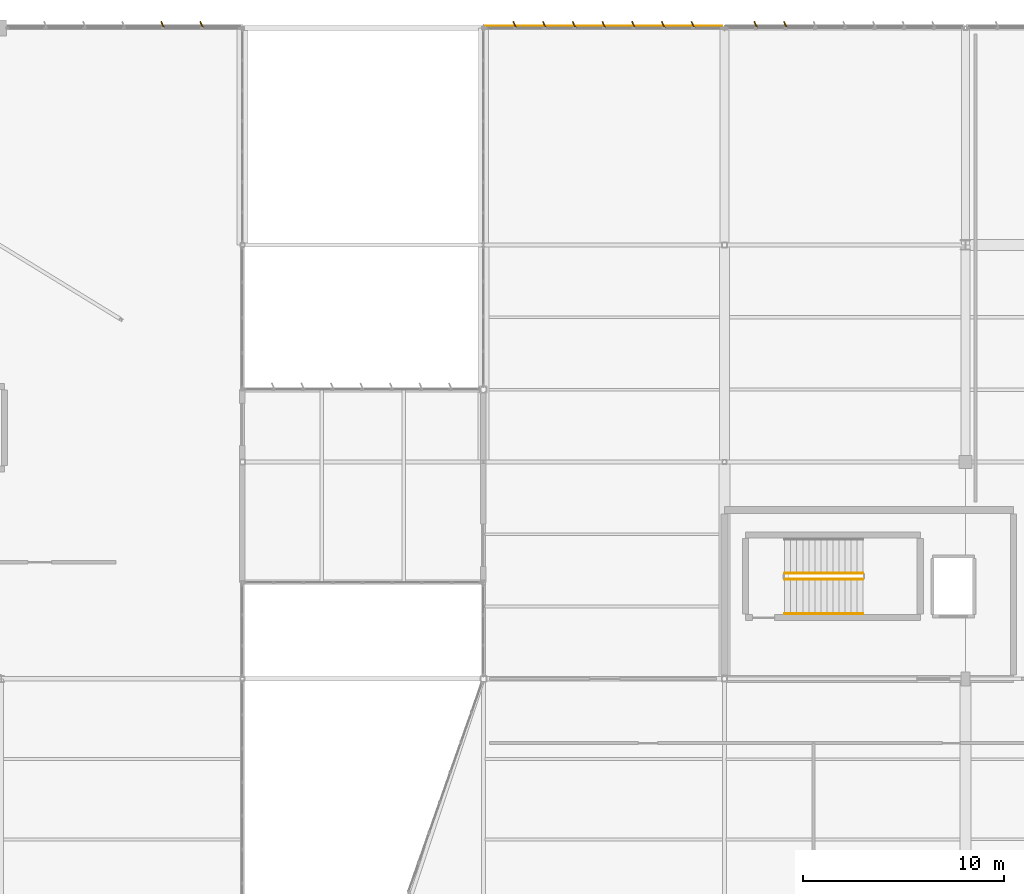
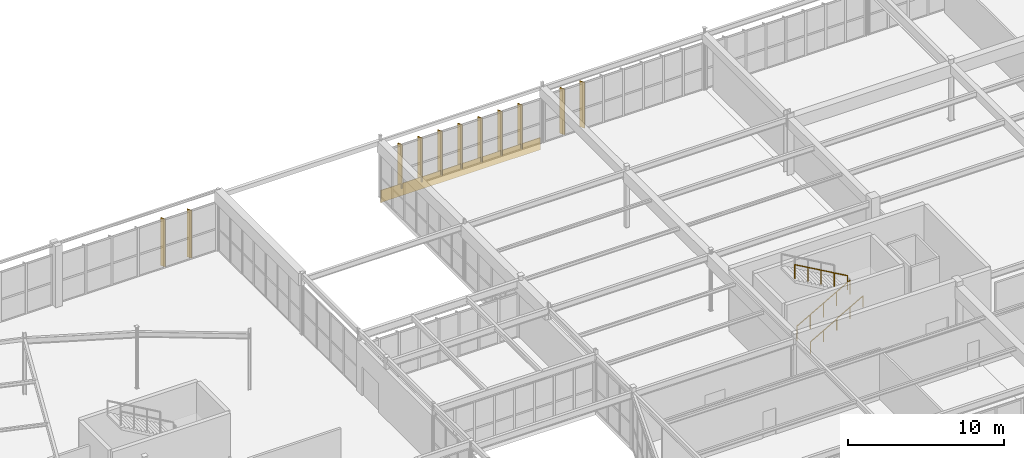
# One storey, part 184 of 186: 11 shading devices, 3 railings, 1 covering.
"""IFC4 building model written with IfcOpenShell, lengths in metres."""

from ifc_helpers import new_model, si_unit, direction, frame, origin, origin_2d, place, context, subcontext, project, spatial, rectangle, circle, extrude, material, layer, layer_set, type_object, element, save


model = new_model("IFC4")

# Units and contexts
model_context = context("Model", 3, precision=1e-05, world=origin(), true_north=direction((0.0, 1.0)))
body_context = subcontext(model_context, "Body", "Model", "MODEL_VIEW")
ifc_project = project(units=[si_unit("LENGTHUNIT", "METRE"), si_unit("AREAUNIT", "SQUARE_METRE"), si_unit("VOLUMEUNIT", "CUBIC_METRE"), si_unit("PLANEANGLEUNIT", "RADIAN"), si_unit("MASSUNIT", "GRAM", prefix="KILO")], contexts=[model_context])

# Site, building, storey
site_placement = place(None, origin())
site = spatial("IfcSite", under=ifc_project, at=site_placement, CompositionType="ELEMENT")
building_placement = place(site_placement, origin())
building = spatial("IfcBuilding", under=site, at=building_placement, Name="Tarnwether General Hospital", CompositionType="ELEMENT")
storey_placement = place(building_placement, frame((0.0, 0.0, 9.60009765625)))
storey = spatial("IfcBuildingStorey", under=building, at=storey_placement, Name="L02", CompositionType="ELEMENT", Elevation=9.60009765625)

# Covering
ifc_material_1 = material(Name="Folded zinc-titanium cladding")
ifc_layer_1 = layer(ifc_material_1, 0.0400390625)
ifc_layer_set_1 = layer_set([ifc_layer_1], Name="Folded zinc-titanium cladding")
covering_type = type_object("IfcCoveringType", Name="CV-CLD-ZNC", PredefinedType="CLADDING", material=ifc_layer_set_1)
covering_placement = place(storey_placement, frame((150.0, 126.090087890625, -0.55517578125), z_axis=(0.0, 0.0, 1.0), x_axis=(1.0, 0.0, 0.0)))
element("IfcCovering", 1, at=covering_placement, inside=storey, type_object=covering_type, Name="Deconstructivist Faceted Zinc Spandrel Blade 035", PredefinedType="CLADDING", context=body_context, shape_type="SweptSolid", body=[
    extrude(rectangle(XDim=11.800048828125, YDim=0.0400390625, at=origin_2d()), origin(), (0.0, 0.0, 1.0), 0.949951171875),
])

# Railings
ifc_material_2 = material(Name="Anodised aluminium", Category="aluminium")
railing_type_1 = type_object("IfcRailingType", Name="RL-GRD-INT", PredefinedType="GUARDRAIL", material=ifc_material_2)
railing_1_placement = place(storey_placement, frame((159.0, 98.550048828125, 0.17138671875)))
element("IfcRailing", 2, at=railing_1_placement, inside=storey, type_object=railing_type_1, Name="L02 ST-06 stair guard 1", PredefinedType="GUARDRAIL", context=body_context, shape_type="SweptSolid", body=[
    extrude(circle(Radius=0.02392578125, at=origin_2d()), frame((0.0, 0.0, 1.076171875), z_axis=(0.868243142124, 0.0, 0.496138938357), x_axis=(0.0, 1.0, 0.0)), (0.0, 0.0, 1.0), 4.49169921875),
    extrude(circle(Radius=0.02099609375, at=origin_2d()), origin(), (0.0, 0.0, 1.0), 1.052001953125),
    extrude(circle(Radius=0.02099609375, at=origin_2d()), frame((0.97509765625, 0.0, 0.55712890625)), (0.0, 0.0, 1.0), 1.052001953125),
    extrude(circle(Radius=0.02099609375, at=origin_2d()), frame((1.949951171875, 0.0, 1.1142578125)), (0.0, 0.0, 1.0), 1.052001953125),
    extrude(circle(Radius=0.02099609375, at=origin_2d()), frame((2.9248046875, 0.0, 1.67138671875)), (0.0, 0.0, 1.0), 1.052001953125),
    extrude(circle(Radius=0.02099609375, at=origin_2d()), frame((3.89990234375, 0.0, 2.228515625)), (0.0, 0.0, 1.0), 1.052001953125),
])
railing_2_placement = place(storey_placement, frame((162.89990234375, 98.85009765625, 2.5712890625)))
element("IfcRailing", 3, at=railing_2_placement, inside=storey, type_object=railing_type_1, Name="L02 ST-06 stair guard 3", PredefinedType="GUARDRAIL", context=body_context, shape_type="SweptSolid", body=[
    extrude(circle(Radius=0.02392578125, at=origin_2d()), frame((0.0, 0.0, 1.076171875), z_axis=(-0.868243142124, 0.0, 0.496138938357), x_axis=(0.0, -1.0, 0.0)), (0.0, 0.0, 1.0), 4.49169921875),
    extrude(circle(Radius=0.02099609375, at=origin_2d()), origin(), (0.0, 0.0, 1.0), 1.052001953125),
    extrude(circle(Radius=0.02099609375, at=origin_2d()), frame((-0.97509765625, 0.0, 0.55712890625)), (0.0, 0.0, 1.0), 1.052001953125),
    extrude(circle(Radius=0.02099609375, at=origin_2d()), frame((-1.949951171875, 0.0, 1.1142578125)), (0.0, 0.0, 1.0), 1.052001953125),
    extrude(circle(Radius=0.02099609375, at=origin_2d()), frame((-2.9248046875, 0.0, 1.67138671875)), (0.0, 0.0, 1.0), 1.052001953125),
    extrude(circle(Radius=0.02099609375, at=origin_2d()), frame((-3.89990234375, 0.0, 2.228515625)), (0.0, 0.0, 1.0), 1.052001953125),
])
ifc_material_3 = material(Name="Anodised aluminium", Category="aluminium")
railing_type_2 = type_object("IfcRailingType", Name="RL-HND-INT", PredefinedType="HANDRAIL", material=ifc_material_3)
railing_3_placement = place(storey_placement, frame((159.0, 96.85009765625, 0.17138671875)))
element("IfcRailing", 4, at=railing_3_placement, inside=storey, type_object=railing_type_2, Name="L02 ST-06 stair handrail 1", PredefinedType="HANDRAIL", context=body_context, shape_type="SweptSolid", body=[
    extrude(circle(Radius=0.02392578125, at=origin_2d()), frame((0.0, 0.0, 0.8759765625), z_axis=(0.868243142124, 0.0, 0.496138938357), x_axis=(0.0, 1.0, 0.0)), (0.0, 0.0, 1.0), 4.49169921875),
    extrude(circle(Radius=0.02099609375, at=origin_2d()), origin(), (0.0, 0.0, 1.0), 0.851806640625),
    extrude(circle(Radius=0.02099609375, at=origin_2d()), frame((0.97509765625, 0.0, 0.55712890625)), (0.0, 0.0, 1.0), 0.851806640625),
    extrude(circle(Radius=0.02099609375, at=origin_2d()), frame((1.949951171875, 0.0, 1.1142578125)), (0.0, 0.0, 1.0), 0.851806640625),
    extrude(circle(Radius=0.02099609375, at=origin_2d()), frame((2.9248046875, 0.0, 1.67138671875)), (0.0, 0.0, 1.0), 0.851806640625),
    extrude(circle(Radius=0.02099609375, at=origin_2d()), frame((3.89990234375, 0.0, 2.228515625)), (0.0, 0.0, 1.0), 0.851806640625),
])

# Shading devices
ifc_material_4 = material(Name="Champagne-bronze anodised aluminium", Category="aluminium")
ifc_layer_2 = layer(ifc_material_4, 0.06005859375)
ifc_layer_set_2 = layer_set([ifc_layer_2], Name="Champagne-bronze anodised aluminium")
shading_device_type = type_object("IfcShadingDeviceType", Name="SH-FIN-BRZ", PredefinedType="USERDEFINED", material=ifc_layer_set_2)
for number, where, z_axis, x_axis, name in (
    (5, (128.031005859375, 126.159912109375, 0.0498046875), (0.0, 0.0, 1.0), (0.906307787037, 0.422618261741, 0.0), "Champagne-Bronze Brise-Soleil Fin 0412"),
    (6, (129.97412109375, 126.159912109375, 0.0498046875), (0.0, 0.0, 1.0), (0.906307787037, 0.422618261741, 0.0), "Champagne-Bronze Brise-Soleil Fin 0413"),
):
    element("IfcShadingDevice", number, at=place(storey_placement, frame(where, z_axis=z_axis, x_axis=x_axis)), inside=storey, type_object=shading_device_type, Name=name, ObjectType="SOLAR FIN", PredefinedType="USERDEFINED", context=body_context, shape_type="SweptSolid", body=[
        extrude(rectangle(XDim=0.06005859375, YDim=0.360107421875, at=origin_2d()), origin(), (0.0, 0.0, 1.0), 3.735107421875),
    ])
for number, where, z_axis, x_axis, name in (
    (7, (145.56201171875, 126.159912109375, 0.0498046875), (0.0, 0.0, 1.0), (0.906307787037, 0.422618261741, 0.0), "Champagne-Bronze Brise-Soleil Fin 0492"),
    (8, (147.041015625, 126.159912109375, 0.0498046875), (0.0, 0.0, 1.0), (0.906307787037, 0.422618261741, 0.0), "Champagne-Bronze Brise-Soleil Fin 0493"),
    (9, (148.51904296875, 126.159912109375, 0.0498046875), (0.0, 0.0, 1.0), (0.906307787037, 0.422618261741, 0.0), "Champagne-Bronze Brise-Soleil Fin 0494"),
    (10, (149.998046875, 126.159912109375, 0.0498046875), (0.0, 0.0, 1.0), (0.906307787037, 0.422618261741, 0.0), "Champagne-Bronze Brise-Soleil Fin 0495"),
    (11, (151.47705078125, 126.159912109375, 0.0498046875), (0.0, 0.0, 1.0), (0.906307787037, 0.422618261741, 0.0), "Champagne-Bronze Brise-Soleil Fin 0496"),
    (12, (152.9560546875, 126.159912109375, 0.0498046875), (0.0, 0.0, 1.0), (0.906307787037, 0.422618261741, 0.0), "Champagne-Bronze Brise-Soleil Fin 0497"),
    (13, (154.43408203125, 126.159912109375, 0.0498046875), (0.0, 0.0, 1.0), (0.906307787037, 0.422618261741, 0.0), "Champagne-Bronze Brise-Soleil Fin 0498"),
):
    element("IfcShadingDevice", number, at=place(storey_placement, frame(where, z_axis=z_axis, x_axis=x_axis)), inside=storey, type_object=shading_device_type, Name=name, ObjectType="SOLAR FIN", PredefinedType="USERDEFINED", context=body_context, shape_type="SweptSolid", body=[
        extrude(rectangle(XDim=0.06005859375, YDim=0.360107421875, at=origin_2d()), origin(), (0.0, 0.0, 1.0), 3.429931640625),
    ])
for number, where, z_axis, x_axis, name in (
    (14, (157.56298828125, 126.159912109375, 0.0498046875), (0.0, 0.0, 1.0), (0.906307787037, 0.422618261741, 0.0), "Champagne-Bronze Brise-Soleil Fin 0499"),
    (15, (159.0390625, 126.159912109375, 0.0498046875), (0.0, 0.0, 1.0), (0.906307787037, 0.422618261741, 0.0), "Champagne-Bronze Brise-Soleil Fin 0500"),
):
    element("IfcShadingDevice", number, at=place(storey_placement, frame(where, z_axis=z_axis, x_axis=x_axis)), inside=storey, type_object=shading_device_type, Name=name, ObjectType="SOLAR FIN", PredefinedType="USERDEFINED", context=body_context, shape_type="SweptSolid", body=[
        extrude(rectangle(XDim=0.06005859375, YDim=0.360107421875, at=origin_2d()), origin(), (0.0, 0.0, 1.0), 3.580078125),
    ])

save(model, "model.ifc")
